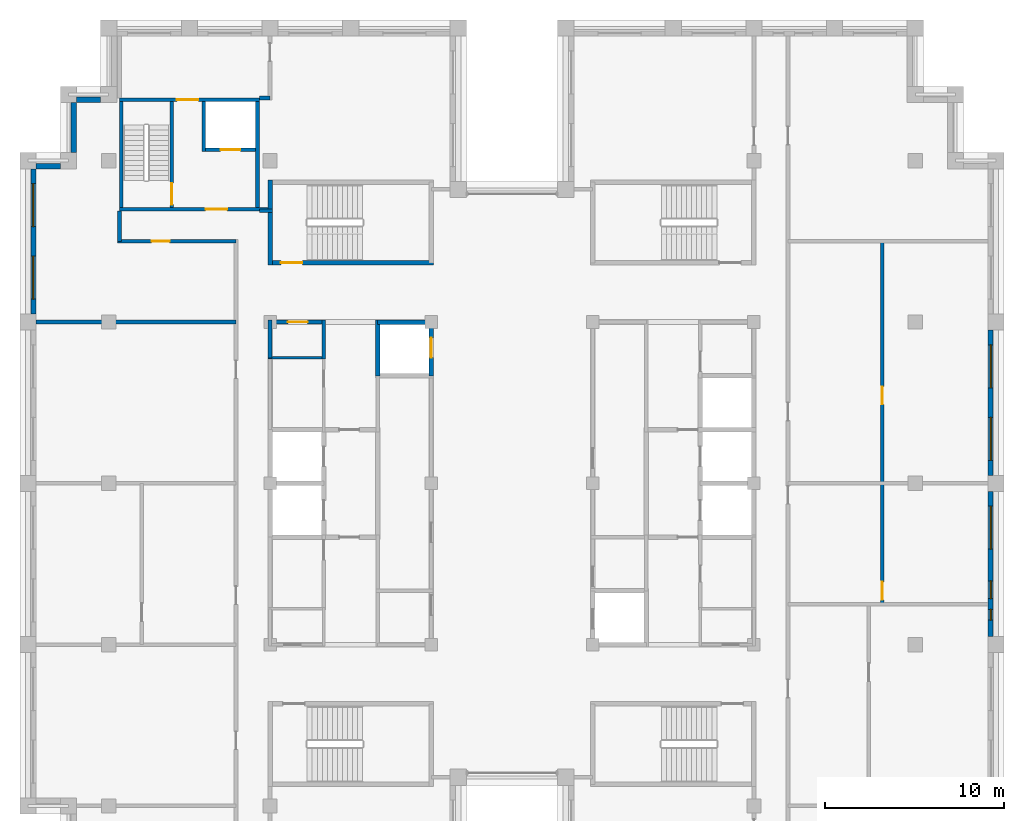
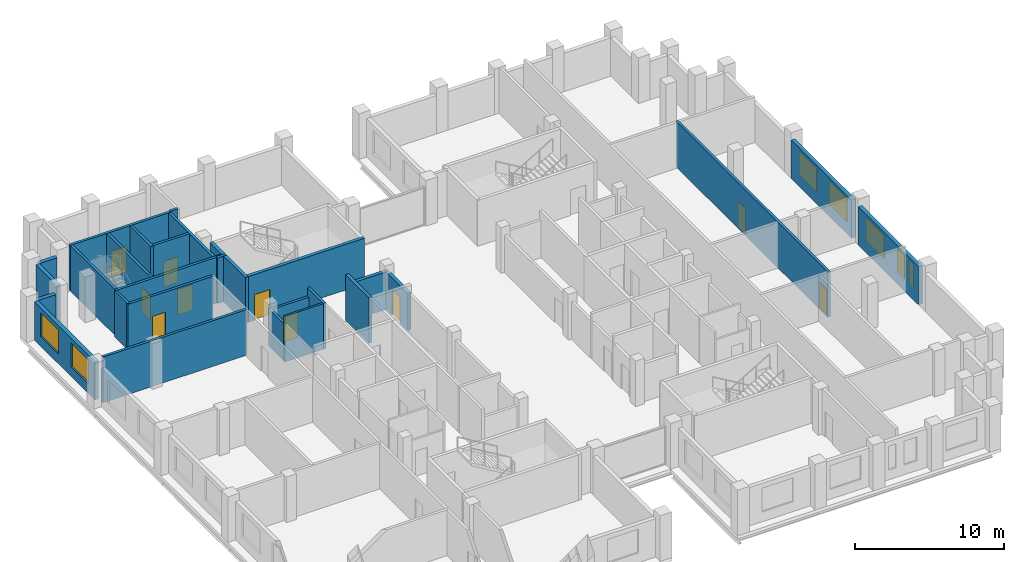
# One storey, part 9 of 13: 28 walls, 10 doors, 7 windows, 17 openings.
"""IFC4 building model written with IfcOpenShell, lengths in metres."""

from ifc_helpers import new_model, si_unit, direction, frame, frame_2d, origin, place, context, subcontext, project, spatial, rectangle, extrude, material, layer, layer_set, type_object, element, fill, save


model = new_model("IFC4")

# Units and contexts
model_context = context("Model", 3, precision=1e-05, world=origin(), true_north=direction((0.0, 1.0)))
body_context = subcontext(model_context, "Body", "Model", "MODEL_VIEW")
ifc_project = project(units=[si_unit("LENGTHUNIT", "METRE"), si_unit("AREAUNIT", "SQUARE_METRE"), si_unit("VOLUMEUNIT", "CUBIC_METRE"), si_unit("PLANEANGLEUNIT", "RADIAN"), si_unit("MASSUNIT", "GRAM", prefix="KILO")], contexts=[model_context])

# Site, building, storey
site_placement = place(None, origin())
site = spatial("IfcSite", under=ifc_project, at=site_placement, CompositionType="ELEMENT")
building_placement = place(site_placement, origin())
building = spatial("IfcBuilding", under=site, at=building_placement, Name="Corbelhall Arena Tower", CompositionType="ELEMENT")
storey_placement = place(building_placement, frame((0.0, 0.0, 334.0)))
storey = spatial("IfcBuildingStorey", under=building, at=storey_placement, Name="L73", CompositionType="ELEMENT", Elevation=334.0)

# Walls
ifc_material_1 = material(Name="Precast concrete C40/50 with granite facing", Category="masonry")
ifc_layer_1 = layer(ifc_material_1, 0.300048828125)
ifc_layer_set_1 = layer_set([ifc_layer_1], Name="EV-IW1 Infill panel 300")
wall_type_1 = type_object("IfcWallType", Name="EV-IW1 Infill panel 300", PredefinedType="SOLIDWALL", material=ifc_layer_set_1)
wall_1_placement = place(storey_placement, frame((-24.449951171875, 21.25, 0.0), z_axis=(0.0, 0.0, 1.0), x_axis=(0.0, -1.0, 0.0)))
element("IfcWall", 1, at=wall_1_placement, inside=storey, type_object=wall_type_1, Name="Infill panel IW1", PredefinedType="SOLIDWALL", context=body_context, shape_type="SweptSolid", body=[
    extrude(rectangle(XDim=2.800048828125, YDim=0.300048828125, at=frame_2d((1.39990234375, 0.0))), origin(), (0.0, 0.0, 1.0), 3.139892578125),
])
wall_2_placement = place(storey_placement, frame((-25.199951171875, 17.699951171875, 0.0), z_axis=(0.0, 0.0, 1.0), x_axis=(-1.0, 0.0, 0.0)))
element("IfcWall", 2, at=wall_2_placement, inside=storey, type_object=wall_type_1, Name="Infill panel IW1", PredefinedType="SOLIDWALL", context=body_context, shape_type="SweptSolid", body=[
    extrude(rectangle(XDim=1.35009765625, YDim=0.300048828125, at=frame_2d((0.675048828125, 0.0))), origin(), (0.0, 0.0, 1.0), 3.139892578125),
])

# Wall, openings, windows
wall_3_placement = place(storey_placement, frame((-26.699951171875, 17.550048828125, 0.0), z_axis=(0.0, 0.0, 1.0), x_axis=(0.0, -1.0, 0.0)))
wall_3 = element("IfcWall", 3, at=wall_3_placement, inside=storey, type_object=wall_type_1, Name="Infill panel IW1", PredefinedType="SOLIDWALL", context=body_context, shape_type="SweptSolid", body=[
    extrude(rectangle(XDim=8.10009765625, YDim=0.300048828125, at=frame_2d((4.050048828125, 0.0))), origin(), (0.0, 0.0, 1.0), 3.139892578125),
])
opening_1_placement = place(wall_3_placement, frame((0.824951171875, 0.0, 0.800048828125)))
opening_1 = element("IfcOpeningElement", 4, at=opening_1_placement, cuts=wall_3, Name="Opening WN1", PredefinedType="OPENING", context=body_context, shape_type="SweptSolid", body=[
    extrude(rectangle(XDim=2.39990234375, YDim=1.949951171875, at=frame_2d((1.199951171875, 0.97509765625))), frame((0.0, 0.14990234375, 0.0), z_axis=(0.0, -1.0, 0.0), x_axis=(1.0, 0.0, 0.0)), (0.0, 0.0, 1.0), 0.300048828125),
])
opening_2_placement = place(wall_3_placement, frame((4.875, 0.0, 0.800048828125)))
opening_2 = element("IfcOpeningElement", 5, at=opening_2_placement, cuts=wall_3, Name="Opening WN1", PredefinedType="OPENING", context=body_context, shape_type="SweptSolid", body=[
    extrude(rectangle(XDim=2.39990234375, YDim=1.949951171875, at=frame_2d((1.199951171875, 0.97509765625))), frame((0.0, 0.14990234375, 0.0), z_axis=(0.0, -1.0, 0.0), x_axis=(1.0, 0.0, 0.0)), (0.0, 0.0, 1.0), 0.300048828125),
])
ifc_material_2 = material(Name="Aluminium black anodised", Category="aluminium")
window_type_1 = type_object("IfcWindowType", Name="EV-WN1 Office window", PartitioningType="SINGLE_PANEL", PredefinedType="WINDOW", material=ifc_material_2)
window_1_placement = place(opening_1_placement, origin())
window_1 = element("IfcWindow", 6, at=window_1_placement, inside=storey, type_object=window_type_1, Name="Window WN1", OverallHeight=1.949951171875, OverallWidth=2.39990234375, PartitioningType="SINGLE_PANEL", PredefinedType="WINDOW", context=body_context, shape_type="SweptSolid", body=[
    extrude(rectangle(XDim=2.39990234375, YDim=1.949951171875, at=frame_2d((1.199951171875, 0.97509765625))), frame((0.0, 0.030029296875, 0.0), z_axis=(0.0, -1.0, 0.0), x_axis=(1.0, 0.0, 0.0)), (0.0, 0.0, 1.0), 0.06005859375),
])
fill(opening_1, window_1)
window_2_placement = place(opening_2_placement, origin())
window_2 = element("IfcWindow", 7, at=window_2_placement, inside=storey, type_object=window_type_1, Name="Window WN1", OverallHeight=1.949951171875, OverallWidth=2.39990234375, PartitioningType="SINGLE_PANEL", PredefinedType="WINDOW", context=body_context, shape_type="SweptSolid", body=[
    extrude(rectangle(XDim=2.39990234375, YDim=1.949951171875, at=frame_2d((1.199951171875, 0.97509765625))), frame((0.0, 0.030029296875, 0.0), z_axis=(0.0, -1.0, 0.0), x_axis=(1.0, 0.0, 0.0)), (0.0, 0.0, 1.0), 0.06005859375),
])
fill(opening_2, window_2)

wall_4_placement = place(storey_placement, frame((26.699951171875, -8.550048828125, 0.0), z_axis=(0.0, 0.0, 1.0), x_axis=(0.0, 1.0, 0.0)))
wall_4 = element("IfcWall", 8, at=wall_4_placement, inside=storey, type_object=wall_type_1, Name="Infill panel IW1", PredefinedType="SOLIDWALL", context=body_context, shape_type="SweptSolid", body=[
    extrude(rectangle(XDim=8.10009765625, YDim=0.300048828125, at=frame_2d((4.050048828125, 0.0))), origin(), (0.0, 0.0, 1.0), 3.139892578125),
])
opening_3_placement = place(wall_4_placement, frame((4.875, 0.0, 0.800048828125)))
opening_3 = element("IfcOpeningElement", 9, at=opening_3_placement, cuts=wall_4, Name="Opening WN1", PredefinedType="OPENING", context=body_context, shape_type="SweptSolid", body=[
    extrude(rectangle(XDim=2.39990234375, YDim=1.949951171875, at=frame_2d((1.199951171875, 0.97509765625))), frame((0.0, 0.14990234375, 0.0), z_axis=(0.0, -1.0, 0.0), x_axis=(1.0, 0.0, 0.0)), (0.0, 0.0, 1.0), 0.300048828125),
])
opening_4_placement = place(wall_4_placement, frame((0.91259765625, 0.0, 0.800048828125)))
opening_4 = element("IfcOpeningElement", 10, at=opening_4_placement, cuts=wall_4, Name="Opening WN5", PredefinedType="OPENING", context=body_context, shape_type="SweptSolid", body=[
    extrude(rectangle(XDim=0.60009765625, YDim=1.949951171875, at=frame_2d((0.300048828125, 0.97509765625))), frame((0.0, 0.14990234375, 0.0), z_axis=(0.0, -1.0, 0.0), x_axis=(1.0, 0.0, 0.0)), (0.0, 0.0, 1.0), 0.300048828125),
])
opening_5_placement = place(wall_4_placement, frame((2.112548828125, 0.0, 0.800048828125)))
opening_5 = element("IfcOpeningElement", 11, at=opening_5_placement, cuts=wall_4, Name="Opening WN6", PredefinedType="OPENING", context=body_context, shape_type="SweptSolid", body=[
    extrude(rectangle(XDim=1.0, YDim=1.949951171875, at=frame_2d((0.5, 0.97509765625))), frame((0.0, 0.14990234375, 0.0), z_axis=(0.0, -1.0, 0.0), x_axis=(1.0, 0.0, 0.0)), (0.0, 0.0, 1.0), 0.300048828125),
])
window_3_placement = place(opening_3_placement, origin())
window_3 = element("IfcWindow", 12, at=window_3_placement, inside=storey, type_object=window_type_1, Name="Window WN1", OverallHeight=1.949951171875, OverallWidth=2.39990234375, PartitioningType="SINGLE_PANEL", PredefinedType="WINDOW", context=body_context, shape_type="SweptSolid", body=[
    extrude(rectangle(XDim=2.39990234375, YDim=1.949951171875, at=frame_2d((1.199951171875, 0.97509765625))), frame((0.0, 0.030029296875, 0.0), z_axis=(0.0, -1.0, 0.0), x_axis=(1.0, 0.0, 0.0)), (0.0, 0.0, 1.0), 0.06005859375),
])
fill(opening_3, window_3)
window_type_2 = type_object("IfcWindowType", Name="EV-WN5 Office window 600", PartitioningType="SINGLE_PANEL", PredefinedType="WINDOW", material=ifc_material_2)
window_4_placement = place(opening_4_placement, origin())
window_4 = element("IfcWindow", 13, at=window_4_placement, inside=storey, type_object=window_type_2, Name="Window WN5", OverallHeight=1.949951171875, OverallWidth=0.60009765625, PartitioningType="SINGLE_PANEL", PredefinedType="WINDOW", context=body_context, shape_type="SweptSolid", body=[
    extrude(rectangle(XDim=0.60009765625, YDim=1.949951171875, at=frame_2d((0.300048828125, 0.97509765625))), frame((0.0, 0.030029296875, 0.0), z_axis=(0.0, -1.0, 0.0), x_axis=(1.0, 0.0, 0.0)), (0.0, 0.0, 1.0), 0.06005859375),
])
fill(opening_4, window_4)
window_type_3 = type_object("IfcWindowType", Name="EV-WN6 Office window 1000", PartitioningType="SINGLE_PANEL", PredefinedType="WINDOW", material=ifc_material_2)
window_5_placement = place(opening_5_placement, origin())
window_5 = element("IfcWindow", 14, at=window_5_placement, inside=storey, type_object=window_type_3, Name="Window WN6", OverallHeight=1.949951171875, OverallWidth=1.0, PartitioningType="SINGLE_PANEL", PredefinedType="WINDOW", context=body_context, shape_type="SweptSolid", body=[
    extrude(rectangle(XDim=1.0, YDim=1.949951171875, at=frame_2d((0.5, 0.97509765625))), frame((0.0, 0.030029296875, 0.0), z_axis=(0.0, -1.0, 0.0), x_axis=(1.0, 0.0, 0.0)), (0.0, 0.0, 1.0), 0.06005859375),
])
fill(opening_5, window_5)

wall_5_placement = place(storey_placement, frame((26.699951171875, 0.449951171875, 0.0), z_axis=(0.0, 0.0, 1.0), x_axis=(0.0, 1.0, 0.0)))
wall_5 = element("IfcWall", 15, at=wall_5_placement, inside=storey, type_object=wall_type_1, Name="Infill panel IW1", PredefinedType="SOLIDWALL", context=body_context, shape_type="SweptSolid", body=[
    extrude(rectangle(XDim=8.10009765625, YDim=0.300048828125, at=frame_2d((4.050048828125, 0.0))), origin(), (0.0, 0.0, 1.0), 3.139892578125),
])
opening_6_placement = place(wall_5_placement, frame((0.824951171875, 0.0, 0.800048828125)))
opening_6 = element("IfcOpeningElement", 16, at=opening_6_placement, cuts=wall_5, Name="Opening WN1", PredefinedType="OPENING", context=body_context, shape_type="SweptSolid", body=[
    extrude(rectangle(XDim=2.39990234375, YDim=1.949951171875, at=frame_2d((1.199951171875, 0.97509765625))), frame((0.0, 0.14990234375, 0.0), z_axis=(0.0, -1.0, 0.0), x_axis=(1.0, 0.0, 0.0)), (0.0, 0.0, 1.0), 0.300048828125),
])
opening_7_placement = place(wall_5_placement, frame((4.875, 0.0, 0.800048828125)))
opening_7 = element("IfcOpeningElement", 17, at=opening_7_placement, cuts=wall_5, Name="Opening WN1", PredefinedType="OPENING", context=body_context, shape_type="SweptSolid", body=[
    extrude(rectangle(XDim=2.39990234375, YDim=1.949951171875, at=frame_2d((1.199951171875, 0.97509765625))), frame((0.0, 0.14990234375, 0.0), z_axis=(0.0, -1.0, 0.0), x_axis=(1.0, 0.0, 0.0)), (0.0, 0.0, 1.0), 0.300048828125),
])
window_6_placement = place(opening_6_placement, origin())
window_6 = element("IfcWindow", 18, at=window_6_placement, inside=storey, type_object=window_type_1, Name="Window WN1", OverallHeight=1.949951171875, OverallWidth=2.39990234375, PartitioningType="SINGLE_PANEL", PredefinedType="WINDOW", context=body_context, shape_type="SweptSolid", body=[
    extrude(rectangle(XDim=2.39990234375, YDim=1.949951171875, at=frame_2d((1.199951171875, 0.97509765625))), frame((0.0, 0.030029296875, 0.0), z_axis=(0.0, -1.0, 0.0), x_axis=(1.0, 0.0, 0.0)), (0.0, 0.0, 1.0), 0.06005859375),
])
fill(opening_6, window_6)
window_7_placement = place(opening_7_placement, origin())
window_7 = element("IfcWindow", 19, at=window_7_placement, inside=storey, type_object=window_type_1, Name="Window WN1", OverallHeight=1.949951171875, OverallWidth=2.39990234375, PartitioningType="SINGLE_PANEL", PredefinedType="WINDOW", context=body_context, shape_type="SweptSolid", body=[
    extrude(rectangle(XDim=2.39990234375, YDim=1.949951171875, at=frame_2d((1.199951171875, 0.97509765625))), frame((0.0, 0.030029296875, 0.0), z_axis=(0.0, -1.0, 0.0), x_axis=(1.0, 0.0, 0.0)), (0.0, 0.0, 1.0), 0.06005859375),
])
fill(opening_7, window_7)

# Walls
wall_6_placement = place(storey_placement, frame((-22.949951171875, 21.39990234375, 0.0), z_axis=(0.0, 0.0, 1.0), x_axis=(-1.0, 0.0, 0.0)))
element("IfcWall", 20, at=wall_6_placement, inside=storey, type_object=wall_type_1, Name="Infill panel IW1", PredefinedType="SOLIDWALL", context=body_context, shape_type="SweptSolid", body=[
    extrude(rectangle(XDim=1.35009765625, YDim=0.300048828125, at=frame_2d((0.675048828125, 0.0))), origin(), (0.0, 0.0, 1.0), 3.139892578125),
])
ifc_material_3 = material(Name="Gypsum board on steel stud, acoustic", Category="steel")
ifc_layer_2 = layer(ifc_material_3, 0.199951171875)
ifc_layer_set_2 = layer_set([ifc_layer_2], Name="IN-W-DM200")
wall_type_2 = type_object("IfcWallType", Name="IN-W-DM200", PredefinedType="PARTITIONING", material=ifc_layer_set_2)
wall_7_placement = place(storey_placement, frame((-26.550048828125, 9.0, 0.0), z_axis=(0.0, 0.0, 1.0), x_axis=(1.0, 0.0, 0.0)))
element("IfcWall", 21, at=wall_7_placement, inside=storey, type_object=wall_type_2, Name="Partition 002", PredefinedType="PARTITIONING", context=body_context, shape_type="SweptSolid", body=[
    extrude(rectangle(XDim=11.150146484375, YDim=0.199951171875, at=frame_2d((5.5751953125, 0.0))), origin(), (0.0, 0.0, 1.0), 3.739990234375),
])
wall_8_placement = place(storey_placement, frame((-21.89990234375, 13.5, 0.0), z_axis=(0.0, 0.0, 1.0), x_axis=(0.0, 1.0, 0.0)))
element("IfcWall", 22, at=wall_8_placement, inside=storey, type_object=wall_type_2, Name="Partition 004", PredefinedType="PARTITIONING", context=body_context, shape_type="SweptSolid", body=[
    extrude(rectangle(XDim=1.699951171875, YDim=0.199951171875, at=frame_2d((0.85009765625, 0.0))), origin(), (0.0, 0.0, 1.0), 3.739990234375),
])

# Wall, opening, door
wall_9_placement = place(storey_placement, frame((-15.39990234375, 13.5, 0.0), z_axis=(0.0, 0.0, 1.0), x_axis=(-1.0, 0.0, 0.0)))
wall_9 = element("IfcWall", 23, at=wall_9_placement, inside=storey, type_object=wall_type_2, Name="Partition 009", PredefinedType="PARTITIONING", context=body_context, shape_type="SweptSolid", body=[
    extrude(rectangle(XDim=6.60009765625, YDim=0.199951171875, at=frame_2d((3.300048828125, 0.0))), origin(), (0.0, 0.0, 1.0), 3.739990234375),
])
opening_8_placement = place(wall_9_placement, frame((3.699951171875, 0.0, 0.0)))
opening_8 = element("IfcOpeningElement", 24, at=opening_8_placement, cuts=wall_9, Name="Opening 23024", PredefinedType="OPENING", context=body_context, shape_type="SweptSolid", body=[
    extrude(rectangle(XDim=1.0, YDim=2.10009765625, at=frame_2d((0.5, 1.050048828125))), frame((0.0, 0.10009765625, 0.0), z_axis=(0.0, -1.0, 0.0), x_axis=(1.0, 0.0, 0.0)), (0.0, 0.0, 1.0), 0.199951171875),
])
ifc_material_4 = material(Name="Steel door set", Category="steel")
door_type_1 = type_object("IfcDoorType", Name="IN-D-SW100", OperationType="NOTDEFINED", PredefinedType="DOOR", material=ifc_material_4)
door_1_placement = place(opening_8_placement, origin())
door_1 = element("IfcDoor", 25, at=door_1_placement, inside=storey, type_object=door_type_1, Name="Door 024", OperationType="SINGLE_SWING_LEFT", OverallHeight=2.10009765625, OverallWidth=1.0, PredefinedType="DOOR", context=body_context, shape_type="SweptSolid", body=[
    extrude(rectangle(XDim=1.0, YDim=2.10009765625, at=frame_2d((0.5, 1.050048828125))), frame((0.0, 0.02490234375, 0.0), z_axis=(0.0, -1.0, 0.0), x_axis=(1.0, 0.0, 0.0)), (0.0, 0.0, 1.0), 0.050048828125),
])
fill(opening_8, door_1)

# Walls
wall_10_placement = place(storey_placement, frame((-14.10009765625, 15.199951171875, 0.0), z_axis=(0.0, 0.0, 1.0), x_axis=(1.0, 0.0, 0.0)))
element("IfcWall", 26, at=wall_10_placement, inside=storey, type_object=wall_type_2, Name="Partition 010", PredefinedType="PARTITIONING", context=body_context, shape_type="SweptSolid", body=[
    extrude(rectangle(XDim=0.72509765625, YDim=0.199951171875, at=frame_2d((0.362548828125, 0.0))), origin(), (0.0, 0.0, 1.0), 3.739990234375),
])
wall_11_placement = place(storey_placement, frame((-13.5, 21.5, 0.0), z_axis=(0.0, 0.0, 1.0), x_axis=(-1.0, 0.0, 0.0)))
element("IfcWall", 27, at=wall_11_placement, inside=storey, type_object=wall_type_2, Name="Partition 012", PredefinedType="PARTITIONING", context=body_context, shape_type="SweptSolid", body=[
    extrude(rectangle(XDim=0.60009765625, YDim=0.199951171875, at=frame_2d((0.300048828125, 0.0))), origin(), (0.0, 0.0, 1.0), 3.739990234375),
])

# Wall, openings, doors
wall_12_placement = place(storey_placement, frame((20.64990234375, 13.60009765625, 0.0), z_axis=(0.0, 0.0, 1.0), x_axis=(0.0, -1.0, 0.0)))
wall_12 = element("IfcWall", 28, at=wall_12_placement, inside=storey, type_object=wall_type_2, Name="Partition 025", PredefinedType="PARTITIONING", context=body_context, shape_type="SweptSolid", body=[
    extrude(rectangle(XDim=20.35009765625, YDim=0.199951171875, at=frame_2d((10.175048828125, 0.0))), origin(), (0.0, 0.0, 1.0), 3.739990234375),
])
opening_9_placement = place(wall_12_placement, frame((8.199951171875, 0.0, 0.0)))
opening_9 = element("IfcOpeningElement", 29, at=opening_9_placement, cuts=wall_12, Name="Opening 23030", PredefinedType="OPENING", context=body_context, shape_type="SweptSolid", body=[
    extrude(rectangle(XDim=1.0, YDim=2.10009765625, at=frame_2d((0.5, 1.050048828125))), frame((0.0, 0.10009765625, 0.0), z_axis=(0.0, -1.0, 0.0), x_axis=(1.0, 0.0, 0.0)), (0.0, 0.0, 1.0), 0.199951171875),
])
opening_10_placement = place(wall_12_placement, frame((19.10009765625, 0.0, 0.0)))
opening_10 = element("IfcOpeningElement", 30, at=opening_10_placement, cuts=wall_12, Name="Opening 23036", PredefinedType="OPENING", context=body_context, shape_type="SweptSolid", body=[
    extrude(rectangle(XDim=1.0, YDim=2.10009765625, at=frame_2d((0.5, 1.050048828125))), frame((0.0, 0.10009765625, 0.0), z_axis=(0.0, -1.0, 0.0), x_axis=(1.0, 0.0, 0.0)), (0.0, 0.0, 1.0), 0.199951171875),
])
door_2_placement = place(opening_9_placement, origin())
door_2 = element("IfcDoor", 31, at=door_2_placement, inside=storey, type_object=door_type_1, Name="Door 030", OperationType="SINGLE_SWING_LEFT", OverallHeight=2.10009765625, OverallWidth=1.0, PredefinedType="DOOR", context=body_context, shape_type="SweptSolid", body=[
    extrude(rectangle(XDim=1.0, YDim=2.10009765625, at=frame_2d((0.5, 1.050048828125))), frame((0.0, 0.02490234375, 0.0), z_axis=(0.0, -1.0, 0.0), x_axis=(1.0, 0.0, 0.0)), (0.0, 0.0, 1.0), 0.050048828125),
])
fill(opening_9, door_2)
door_3_placement = place(opening_10_placement, origin())
door_3 = element("IfcDoor", 32, at=door_3_placement, inside=storey, type_object=door_type_1, Name="Door 036", OperationType="SINGLE_SWING_LEFT", OverallHeight=2.10009765625, OverallWidth=1.0, PredefinedType="DOOR", context=body_context, shape_type="SweptSolid", body=[
    extrude(rectangle(XDim=1.0, YDim=2.10009765625, at=frame_2d((0.5, 1.050048828125))), frame((0.0, 0.02490234375, 0.0), z_axis=(0.0, -1.0, 0.0), x_axis=(1.0, 0.0, 0.0)), (0.0, 0.0, 1.0), 0.050048828125),
])
fill(opening_10, door_3)

# Wall, opening, door
ifc_material_5 = material(Name="Concrete C40/50", Category="concrete")
ifc_layer_3 = layer(ifc_material_5, 0.199951171875)
ifc_layer_set_3 = layer_set([ifc_layer_3], Name="IN-W-EAR200")
wall_type_3 = type_object("IfcWallType", Name="IN-W-EAR200", PredefinedType="SOLIDWALL", material=ifc_layer_set_3)
wall_13_placement = place(storey_placement, frame((-21.89990234375, 15.300048828125, 0.0), z_axis=(0.0, 0.0, 1.0), x_axis=(1.0, 0.0, 0.0)))
wall_13 = element("IfcWall", 33, at=wall_13_placement, inside=storey, type_object=wall_type_3, Name="Fire service turret wall south", PredefinedType="SOLIDWALL", context=body_context, shape_type="SweptSolid", body=[
    extrude(rectangle(XDim=8.27490234375, YDim=0.199951171875, at=frame_2d((4.137451171875, 0.0))), origin(), (0.0, 0.0, 1.0), 3.739990234375),
])
opening_11_placement = place(wall_13_placement, frame((4.800048828125, 0.0, 0.0)))
opening_11 = element("IfcOpeningElement", 34, at=opening_11_placement, cuts=wall_13, Name="Opening E232", PredefinedType="OPENING", context=body_context, shape_type="SweptSolid", body=[
    extrude(rectangle(XDim=1.199951171875, YDim=2.10009765625, at=frame_2d((0.60009765625, 1.050048828125))), frame((0.0, 0.10009765625, 0.0), z_axis=(0.0, -1.0, 0.0), x_axis=(1.0, 0.0, 0.0)), (0.0, 0.0, 1.0), 0.199951171875),
])
door_type_2 = type_object("IfcDoorType", Name="IN-D-ST120", OperationType="NOTDEFINED", PredefinedType="DOOR", material=ifc_material_4)
door_4_placement = place(opening_11_placement, origin())
door_4 = element("IfcDoor", 35, at=door_4_placement, inside=storey, type_object=door_type_2, Name="Door from fire service lift lobby to circulation", OperationType="SINGLE_SWING_RIGHT", OverallHeight=2.10009765625, OverallWidth=1.199951171875, PredefinedType="DOOR", context=body_context, shape_type="SweptSolid", body=[
    extrude(rectangle(XDim=1.199951171875, YDim=2.10009765625, at=frame_2d((0.60009765625, 1.050048828125))), frame((0.0, 0.02490234375, 0.0), z_axis=(0.0, -1.0, 0.0), x_axis=(1.0, 0.0, 0.0)), (0.0, 0.0, 1.0), 0.050048828125),
])
fill(opening_11, door_4)

wall_14_placement = place(storey_placement, frame((-21.89990234375, 21.39990234375, 0.0), z_axis=(0.0, 0.0, 1.0), x_axis=(1.0, 0.0, 0.0)))
wall_14 = element("IfcWall", 36, at=wall_14_placement, inside=storey, type_object=wall_type_3, Name="Fire service turret wall north", PredefinedType="SOLIDWALL", context=body_context, shape_type="SweptSolid", body=[
    extrude(rectangle(XDim=7.7998046875, YDim=0.199951171875, at=frame_2d((3.89990234375, 0.0))), origin(), (0.0, 0.0, 1.0), 3.739990234375),
])
opening_12_placement = place(wall_14_placement, frame((3.199951171875, 0.0, 0.0)))
opening_12 = element("IfcOpeningElement", 37, at=opening_12_placement, cuts=wall_14, Name="Opening E233", PredefinedType="OPENING", context=body_context, shape_type="SweptSolid", body=[
    extrude(rectangle(XDim=1.199951171875, YDim=2.10009765625, at=frame_2d((0.60009765625, 1.050048828125))), frame((0.0, 0.10009765625, 0.0), z_axis=(0.0, -1.0, 0.0), x_axis=(1.0, 0.0, 0.0)), (0.0, 0.0, 1.0), 0.199951171875),
])
door_5_placement = place(opening_12_placement, origin())
door_5 = element("IfcDoor", 38, at=door_5_placement, inside=storey, type_object=door_type_2, Name="Door from fire service lift lobby to the north gallery", OperationType="SINGLE_SWING_LEFT", OverallHeight=2.10009765625, OverallWidth=1.199951171875, PredefinedType="DOOR", context=body_context, shape_type="SweptSolid", body=[
    extrude(rectangle(XDim=1.199951171875, YDim=2.10009765625, at=frame_2d((0.60009765625, 1.050048828125))), frame((0.0, 0.02490234375, 0.0), z_axis=(0.0, -1.0, 0.0), x_axis=(1.0, 0.0, 0.0)), (0.0, 0.0, 1.0), 0.050048828125),
])
fill(opening_12, door_5)

# Walls
for number, where, z_axis, x_axis, name in (
    (39, (-21.800048828125, 15.39990234375, 0.0), (0.0, 0.0, 1.0), (0.0, 1.0, 0.0), "Fire service turret wall west"),
    (40, (-14.199951171875, 15.39990234375, 0.0), (0.0, 0.0, 1.0), (0.0, 1.0, 0.0), "Fire service turret wall east"),
):
    element("IfcWall", number, at=place(storey_placement, frame(where, z_axis=z_axis, x_axis=x_axis)), inside=storey, type_object=wall_type_3, Name=name, PredefinedType="SOLIDWALL", context=body_context, shape_type="SweptSolid", body=[
        extrude(rectangle(XDim=5.900146484375, YDim=0.199951171875, at=frame_2d((2.9501953125, 0.0))), origin(), (0.0, 0.0, 1.0), 3.739990234375),
    ])

# Wall, opening, door
wall_15_placement = place(storey_placement, frame((-18.989990234375, 15.39990234375, 0.0), z_axis=(0.0, 0.0, 1.0), x_axis=(0.0, 1.0, 0.0)))
wall_15 = element("IfcWall", 41, at=wall_15_placement, inside=storey, type_object=wall_type_3, Name="Fire service turret wall stair", PredefinedType="SOLIDWALL", context=body_context, shape_type="SweptSolid", body=[
    extrude(rectangle(XDim=5.900146484375, YDim=0.199951171875, at=frame_2d((2.9501953125, 0.0))), origin(), (0.0, 0.0, 1.0), 3.739990234375),
])
opening_13_placement = place(wall_15_placement, frame((0.14990234375, 0.0, 0.0)))
opening_13 = element("IfcOpeningElement", 42, at=opening_13_placement, cuts=wall_15, Name="Opening E231", PredefinedType="OPENING", context=body_context, shape_type="SweptSolid", body=[
    extrude(rectangle(XDim=1.199951171875, YDim=2.10009765625, at=frame_2d((0.60009765625, 1.050048828125))), frame((0.0, 0.10009765625, 0.0), z_axis=(0.0, -1.0, 0.0), x_axis=(1.0, 0.0, 0.0)), (0.0, 0.0, 1.0), 0.199951171875),
])
door_6_placement = place(opening_13_placement, origin())
door_6 = element("IfcDoor", 43, at=door_6_placement, inside=storey, type_object=door_type_2, Name="Stair door to fire service lobby", OperationType="SINGLE_SWING_LEFT", OverallHeight=2.10009765625, OverallWidth=1.199951171875, PredefinedType="DOOR", context=body_context, shape_type="SweptSolid", body=[
    extrude(rectangle(XDim=1.199951171875, YDim=2.10009765625, at=frame_2d((0.60009765625, 1.050048828125))), frame((0.0, 0.02490234375, 0.0), z_axis=(0.0, -1.0, 0.0), x_axis=(1.0, 0.0, 0.0)), (0.0, 0.0, 1.0), 0.050048828125),
])
fill(opening_13, door_6)

# Wall
wall_16_placement = place(storey_placement, frame((-17.199951171875, 18.5, 0.0), z_axis=(0.0, 0.0, 1.0), x_axis=(0.0, 1.0, 0.0)))
element("IfcWall", 44, at=wall_16_placement, inside=storey, type_object=wall_type_3, Name="Fire service turret wall hoistway west", PredefinedType="SOLIDWALL", context=body_context, shape_type="SweptSolid", body=[
    extrude(rectangle(XDim=2.800048828125, YDim=0.199951171875, at=frame_2d((1.39990234375, 0.0))), origin(), (0.0, 0.0, 1.0), 3.739990234375),
])

# Wall, opening, door
wall_17_placement = place(storey_placement, frame((-17.10009765625, 18.60009765625, 0.0), z_axis=(0.0, 0.0, 1.0), x_axis=(1.0, 0.0, 0.0)))
wall_17 = element("IfcWall", 45, at=wall_17_placement, inside=storey, type_object=wall_type_3, Name="Fire service turret wall hoistway south", PredefinedType="SOLIDWALL", context=body_context, shape_type="SweptSolid", body=[
    extrude(rectangle(XDim=2.800048828125, YDim=0.199951171875, at=frame_2d((1.39990234375, 0.0))), origin(), (0.0, 0.0, 1.0), 3.739990234375),
])
opening_14_placement = place(wall_17_placement, frame((0.85009765625, 0.0, 0.0)))
opening_14 = element("IfcOpeningElement", 46, at=opening_14_placement, cuts=wall_17, Name="Opening LD", PredefinedType="OPENING", context=body_context, shape_type="SweptSolid", body=[
    extrude(rectangle(XDim=1.10009765625, YDim=2.10009765625, at=frame_2d((0.550048828125, 1.050048828125))), frame((0.0, 0.10009765625, 0.0), z_axis=(0.0, -1.0, 0.0), x_axis=(1.0, 0.0, 0.0)), (0.0, 0.0, 1.0), 0.199951171875),
])
door_type_3 = type_object("IfcDoorType", Name="IN-D-LD110", OperationType="NOTDEFINED", PredefinedType="DOOR", material=ifc_material_4)
door_7_placement = place(opening_14_placement, origin())
door_7 = element("IfcDoor", 47, at=door_7_placement, inside=storey, type_object=door_type_3, Name="Landing door FS1", OperationType="SLIDING_TO_LEFT", OverallHeight=2.10009765625, OverallWidth=1.10009765625, PredefinedType="DOOR", context=body_context, shape_type="SweptSolid", body=[
    extrude(rectangle(XDim=1.10009765625, YDim=2.10009765625, at=frame_2d((0.550048828125, 1.050048828125))), frame((0.0, 0.02490234375, 0.0), z_axis=(0.0, -1.0, 0.0), x_axis=(1.0, 0.0, 0.0)), (0.0, 0.0, 1.0), 0.050048828125),
])
fill(opening_14, door_7)

# Walls
ifc_material_6 = material(Name="Concrete block wall", Category="concrete")
ifc_layer_4 = layer(ifc_material_6, 0.199951171875)
ifc_layer_set_4 = layer_set([ifc_layer_4], Name="IN-W-RS200")
wall_type_4 = type_object("IfcWallType", Name="IN-W-RS200", PredefinedType="SOLIDWALL", material=ifc_layer_set_4)
wall_18_placement = place(storey_placement, frame((-10.5, 6.925048828125, 0.0), z_axis=(0.0, 0.0, 1.0), x_axis=(0.0, 1.0, 0.0)))
element("IfcWall", 48, at=wall_18_placement, inside=storey, type_object=wall_type_4, Name="Partition 031", PredefinedType="SOLIDWALL", context=body_context, shape_type="SweptSolid", body=[
    extrude(rectangle(XDim=2.175048828125, YDim=0.199951171875, at=frame_2d((1.08740234375, 0.0))), origin(), (0.0, 0.0, 1.0), 3.739990234375),
])
ifc_layer_5 = layer(ifc_material_6, 0.199951171875)
ifc_layer_set_5 = layer_set([ifc_layer_5], Name="IN-W-RS200 under beam 678 mm")
wall_type_5 = type_object("IfcWallType", Name="IN-W-RS200 under beam 678 mm", PredefinedType="SOLIDWALL", material=ifc_layer_set_5)
wall_19_placement = place(storey_placement, frame((-13.5, 7.0, 0.0), z_axis=(0.0, 0.0, 1.0), x_axis=(0.0, 1.0, 0.0)))
element("IfcWall", 49, at=wall_19_placement, inside=storey, type_object=wall_type_5, Name="Partition 028", PredefinedType="SOLIDWALL", context=body_context, shape_type="SweptSolid", body=[
    extrude(rectangle(XDim=2.10009765625, YDim=0.199951171875, at=frame_2d((1.050048828125, 0.0))), origin(), (0.0, 0.0, 1.0), 3.061767578125),
])

# Wall, opening, door
wall_20_placement = place(storey_placement, frame((-13.5, 9.0, 0.0), z_axis=(0.0, 0.0, 1.0), x_axis=(1.0, 0.0, 0.0)))
wall_20 = element("IfcWall", 50, at=wall_20_placement, inside=storey, type_object=wall_type_5, Name="Partition 029", PredefinedType="SOLIDWALL", context=body_context, shape_type="SweptSolid", body=[
    extrude(rectangle(XDim=3.0, YDim=0.199951171875, at=frame_2d((1.5, 0.0))), origin(), (0.0, 0.0, 1.0), 3.061767578125),
])
opening_15_placement = place(wall_20_placement, frame((1.0, 0.0, 0.0)))
opening_15 = element("IfcOpeningElement", 51, at=opening_15_placement, cuts=wall_20, Name="Opening 23008", PredefinedType="OPENING", context=body_context, shape_type="SweptSolid", body=[
    extrude(rectangle(XDim=1.10009765625, YDim=2.10009765625, at=frame_2d((0.550048828125, 1.050048828125))), frame((0.0, 0.10009765625, 0.0), z_axis=(0.0, -1.0, 0.0), x_axis=(1.0, 0.0, 0.0)), (0.0, 0.0, 1.0), 0.199951171875),
])
door_type_4 = type_object("IfcDoorType", Name="IN-D-FD110", OperationType="NOTDEFINED", PredefinedType="DOOR", material=ifc_material_4)
door_8_placement = place(opening_15_placement, origin())
door_8 = element("IfcDoor", 52, at=door_8_placement, inside=storey, type_object=door_type_4, Name="Door 008", OperationType="SINGLE_SWING_LEFT", OverallHeight=2.10009765625, OverallWidth=1.10009765625, PredefinedType="DOOR", context=body_context, shape_type="SweptSolid", body=[
    extrude(rectangle(XDim=1.10009765625, YDim=2.10009765625, at=frame_2d((0.550048828125, 1.050048828125))), frame((0.0, 0.02490234375, 0.0), z_axis=(0.0, -1.0, 0.0), x_axis=(1.0, 0.0, 0.0)), (0.0, 0.0, 1.0), 0.050048828125),
])
fill(opening_15, door_8)

# Walls
ifc_layer_6 = layer(ifc_material_5, 0.25)
ifc_layer_set_6 = layer_set([ifc_layer_6], Name="IN-W-SH250")
wall_type_6 = type_object("IfcWallType", Name="IN-W-SH250", PredefinedType="SOLIDWALL", material=ifc_layer_set_6)
wall_21_placement = place(storey_placement, frame((-7.5, 6.0, 0.0), z_axis=(0.0, 0.0, 1.0), x_axis=(0.0, 1.0, 0.0)))
element("IfcWall", 53, at=wall_21_placement, inside=storey, type_object=wall_type_6, Name="Shaft wall 054", PredefinedType="SOLIDWALL", context=body_context, shape_type="SweptSolid", body=[
    extrude(rectangle(XDim=3.125, YDim=0.25, at=frame_2d((1.5625, 0.0))), origin(), (0.0, 0.0, 1.0), 3.739990234375),
])
ifc_layer_7 = layer(ifc_material_5, 0.25)
ifc_layer_set_7 = layer_set([ifc_layer_7], Name="IN-W-SH250 under beam 678 mm")
wall_type_7 = type_object("IfcWallType", Name="IN-W-SH250 under beam 678 mm", PredefinedType="SOLIDWALL", material=ifc_layer_set_7)
wall_22_placement = place(storey_placement, frame((-7.5, 9.0, 0.0), z_axis=(0.0, 0.0, 1.0), x_axis=(1.0, 0.0, 0.0)))
element("IfcWall", 54, at=wall_22_placement, inside=storey, type_object=wall_type_7, Name="Shaft wall 055", PredefinedType="SOLIDWALL", context=body_context, shape_type="SweptSolid", body=[
    extrude(rectangle(XDim=3.0, YDim=0.25, at=frame_2d((1.5, 0.0))), origin(), (0.0, 0.0, 1.0), 3.061767578125),
])

# Wall, opening, door
wall_23_placement = place(storey_placement, frame((-4.5, 9.125, 0.0), z_axis=(0.0, 0.0, 1.0), x_axis=(0.0, -1.0, 0.0)))
wall_23 = element("IfcWall", 55, at=wall_23_placement, inside=storey, type_object=wall_type_7, Name="Shaft wall 056", PredefinedType="SOLIDWALL", context=body_context, shape_type="SweptSolid", body=[
    extrude(rectangle(XDim=3.125, YDim=0.25, at=frame_2d((1.5625, 0.0))), origin(), (0.0, 0.0, 1.0), 3.061767578125),
])
opening_16_placement = place(wall_23_placement, frame((1.012451171875, 0.0, 0.0)))
opening_16 = element("IfcOpeningElement", 56, at=opening_16_placement, cuts=wall_23, Name="Opening LD", PredefinedType="OPENING", context=body_context, shape_type="SweptSolid", body=[
    extrude(rectangle(XDim=1.10009765625, YDim=2.10009765625, at=frame_2d((0.550048828125, 1.050048828125))), frame((0.0, 0.125, 0.0), z_axis=(0.0, -1.0, 0.0), x_axis=(1.0, 0.0, 0.0)), (0.0, 0.0, 1.0), 0.25),
])
door_9_placement = place(opening_16_placement, origin())
door_9 = element("IfcDoor", 57, at=door_9_placement, inside=storey, type_object=door_type_3, Name="Landing door W6", OperationType="SLIDING_TO_LEFT", OverallHeight=2.10009765625, OverallWidth=1.10009765625, PredefinedType="DOOR", context=body_context, shape_type="SweptSolid", body=[
    extrude(rectangle(XDim=1.10009765625, YDim=2.10009765625, at=frame_2d((0.550048828125, 1.050048828125))), frame((0.0, 0.02490234375, 0.0), z_axis=(0.0, -1.0, 0.0), x_axis=(1.0, 0.0, 0.0)), (0.0, 0.0, 1.0), 0.050048828125),
])
fill(opening_16, door_9)

ifc_layer_8 = layer(ifc_material_5, 0.25)
ifc_layer_set_8 = layer_set([ifc_layer_8], Name="IN-W-ST250")
wall_type_8 = type_object("IfcWallType", Name="IN-W-ST250", PredefinedType="SOLIDWALL", material=ifc_layer_set_8)
wall_24_placement = place(storey_placement, frame((-13.5, 12.300048828125, 0.0), z_axis=(0.0, 0.0, 1.0), x_axis=(1.0, 0.0, 0.0)))
wall_24 = element("IfcWall", 58, at=wall_24_placement, inside=storey, type_object=wall_type_8, Name="Shaft wall 069", PredefinedType="SOLIDWALL", context=body_context, shape_type="SweptSolid", body=[
    extrude(rectangle(XDim=9.125, YDim=0.25, at=frame_2d((4.5625, 0.0))), origin(), (0.0, 0.0, 1.0), 3.739990234375),
])
opening_17_placement = place(wall_24_placement, frame((0.60009765625, 0.0, 0.0)))
opening_17 = element("IfcOpeningElement", 59, at=opening_17_placement, cuts=wall_24, Name="Opening 23015", PredefinedType="OPENING", context=body_context, shape_type="SweptSolid", body=[
    extrude(rectangle(XDim=1.199951171875, YDim=2.10009765625, at=frame_2d((0.60009765625, 1.050048828125))), frame((0.0, 0.125, 0.0), z_axis=(0.0, -1.0, 0.0), x_axis=(1.0, 0.0, 0.0)), (0.0, 0.0, 1.0), 0.25),
])
door_10_placement = place(opening_17_placement, origin())
door_10 = element("IfcDoor", 60, at=door_10_placement, inside=storey, type_object=door_type_2, Name="Door 015", OperationType="SINGLE_SWING_RIGHT", OverallHeight=2.10009765625, OverallWidth=1.199951171875, PredefinedType="DOOR", context=body_context, shape_type="SweptSolid", body=[
    extrude(rectangle(XDim=1.199951171875, YDim=2.10009765625, at=frame_2d((0.60009765625, 1.050048828125))), frame((0.0, 0.02490234375, 0.0), z_axis=(0.0, -1.0, 0.0), x_axis=(1.0, 0.0, 0.0)), (0.0, 0.0, 1.0), 0.050048828125),
])
fill(opening_17, door_10)

# Walls
wall_25_placement = place(storey_placement, frame((-13.5, 12.175048828125, 0.0), z_axis=(0.0, 0.0, 1.0), x_axis=(0.0, 1.0, 0.0)))
element("IfcWall", 61, at=wall_25_placement, inside=storey, type_object=wall_type_8, Name="Shaft wall 070", PredefinedType="SOLIDWALL", context=body_context, shape_type="SweptSolid", body=[
    extrude(rectangle(XDim=4.75, YDim=0.25, at=frame_2d((2.375, 0.0))), origin(), (0.0, 0.0, 1.0), 3.739990234375),
])
ifc_material_7 = material(Name="Gypsum board on steel stud, moisture resistant", Category="steel")
ifc_layer_9 = layer(ifc_material_7, 0.14990234375)
ifc_layer_set_9 = layer_set([ifc_layer_9], Name="IN-W-WC150")
wall_type_9 = type_object("IfcWallType", Name="IN-W-WC150", PredefinedType="PARTITIONING", material=ifc_layer_set_9)
wall_26_placement = place(storey_placement, frame((-13.60009765625, 7.0, 0.0), z_axis=(0.0, 0.0, 1.0), x_axis=(1.0, 0.0, 0.0)))
element("IfcWall", 62, at=wall_26_placement, inside=storey, type_object=wall_type_9, Name="Partition 085", PredefinedType="PARTITIONING", context=body_context, shape_type="SweptSolid", body=[
    extrude(rectangle(XDim=3.10009765625, YDim=0.14990234375, at=frame_2d((1.550048828125, 0.0))), origin(), (0.0, 0.0, 1.0), 3.739990234375),
])

save(model, "model.ifc")
